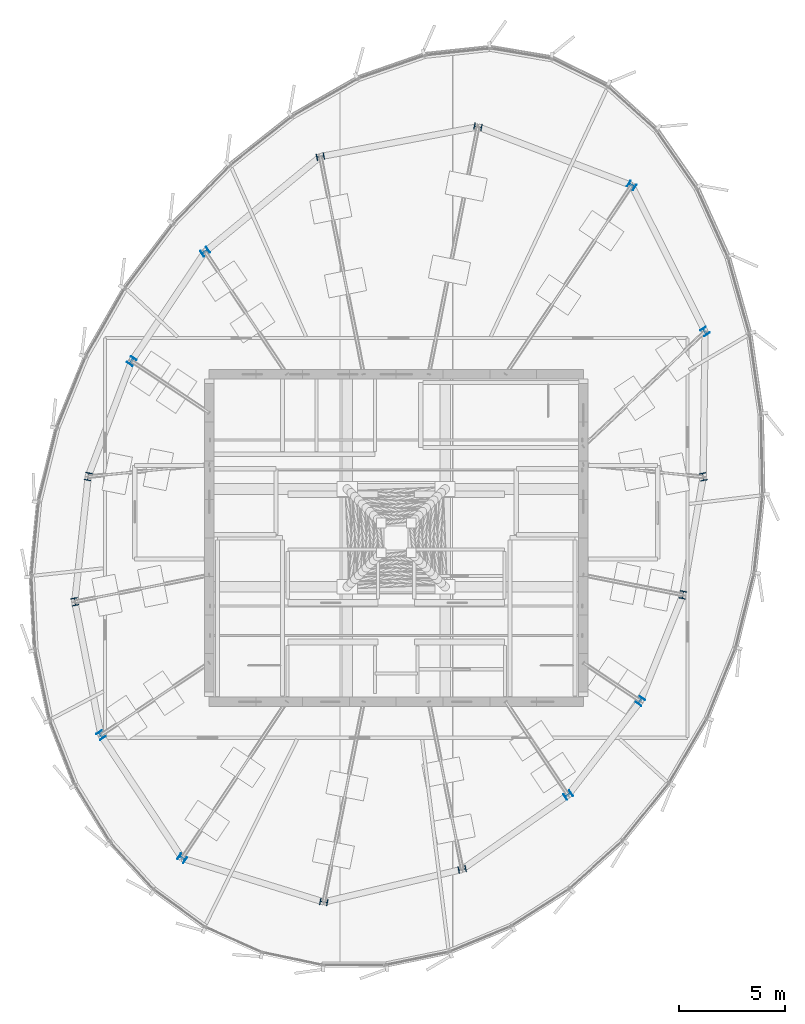
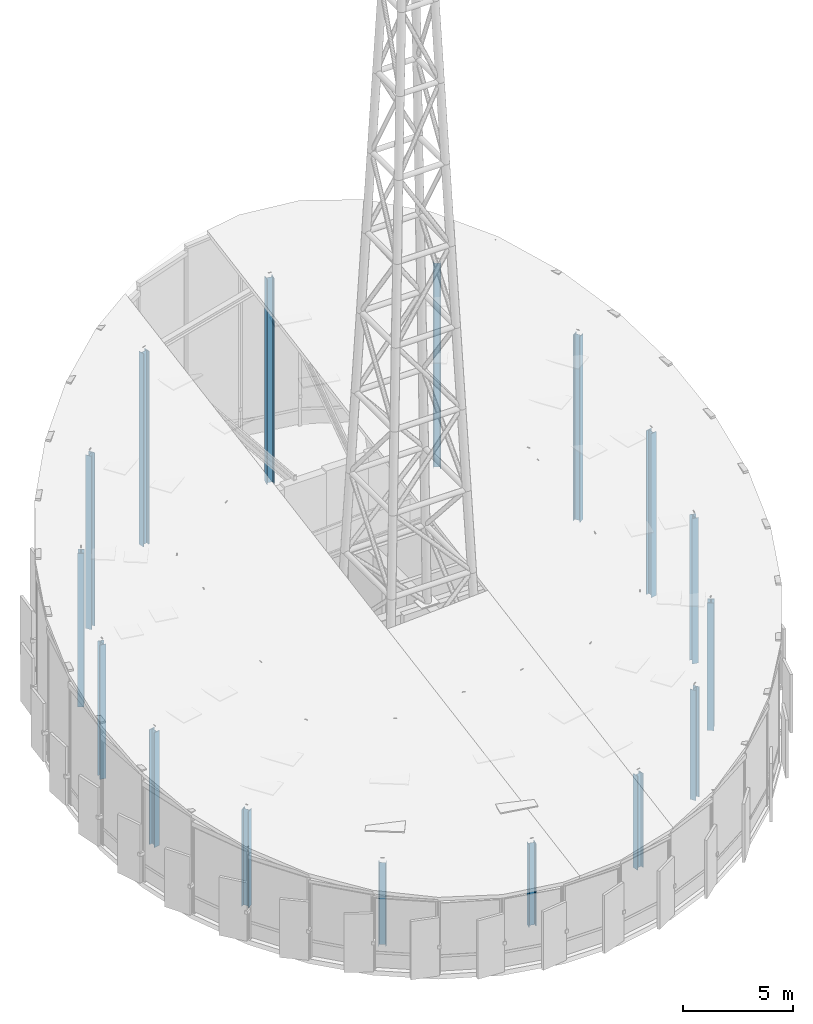
# One storey, part 1 of 36: 16 columns.
"""IFC4 building model written with IfcOpenShell, lengths in metres."""

from ifc_helpers import new_model, si_unit, direction, frame, origin, origin_2d, place, context, subcontext, project, spatial, i_section, extrude, source, transform, mapped, material, material_profile, profile_set, type_object, element, save


model = new_model("IFC4")

# Units and contexts
model_context = context("Model", 3, precision=1e-05, world=origin(), true_north=direction((0.0, 1.0)))
body_context = subcontext(model_context, "Body", "Model", "MODEL_VIEW")
ifc_project = project(units=[si_unit("LENGTHUNIT", "METRE"), si_unit("AREAUNIT", "SQUARE_METRE"), si_unit("VOLUMEUNIT", "CUBIC_METRE"), si_unit("PLANEANGLEUNIT", "RADIAN"), si_unit("MASSUNIT", "GRAM", prefix="KILO"), si_unit("THERMODYNAMICTEMPERATUREUNIT", "KELVIN")], contexts=[model_context])

# Site, building, storey
site_placement = place(None, origin())
site = spatial("IfcSite", under=ifc_project, at=site_placement, CompositionType="ELEMENT")
building_placement = place(site_placement, origin())
building = spatial("IfcBuilding", under=site, at=building_placement, Name="Kethvar Cultural Tower", CompositionType="ELEMENT")
storey_placement = place(building_placement, frame((0.0, 0.0, 324.300048828125)))
storey = spatial("IfcBuildingStorey", under=building, at=storey_placement, Name="L86", CompositionType="ELEMENT", Elevation=324.300048828125)

# Columns
ifc_material = material(Name="Steel S355J2", Category="steel")
ifc_material_profile = material_profile(ifc_material, i_section(OverallWidth=0.30908203125, OverallDepth=0.35888671875, WebThickness=0.01611328125, FlangeThickness=0.02587890625, FilletRadius=0.027099609375, at=origin_2d()), Name="Steel S355J2 — HD320x245")
ifc_profile_set = profile_set([ifc_material_profile], Name="Steel S355J2 — HD320x245")
column_type = type_object("IfcColumnType", Name="COL-HD245", PredefinedType="COLUMN", material=ifc_profile_set)
shared_shape_1 = source(origin(), body_context, "Body", "SweptSolid", [
    extrude(i_section(OverallWidth=0.30908203125, OverallDepth=0.35888671875, WebThickness=0.01611328125, FlangeThickness=0.02587890625, FilletRadius=0.027099609375, at=origin_2d()), origin(), (0.0, 0.0, 1.0), 9.130615234375),
])
column_1_placement = place(storey_placement, frame((61.237060546875, 30.671630859375, 0.0), z_axis=(0.0, 0.0, 1.0), x_axis=(0.980785280403, 0.195090322016, 0.0)))
element("IfcColumn", 1, at=column_1_placement, inside=storey, type_object=column_type, Name="L86 Mega-Column MC-01", PredefinedType="COLUMN", context=body_context, shape_type="MappedRepresentation", body=[
    mapped(shared_shape_1, transform((0.0, 0.0, 0.0), scale=1.0)),
])
shared_shape_2 = source(origin(), body_context, "Body", "SweptSolid", [
    extrude(i_section(OverallWidth=0.30908203125, OverallDepth=0.35888671875, WebThickness=0.01611328125, FlangeThickness=0.02587890625, FilletRadius=0.027099609375, at=origin_2d()), origin(), (0.0, 0.0, 1.0), 10.338134765625),
])
column_2_placement = place(storey_placement, frame((61.32568359375, 37.505859375, 0.0), z_axis=(0.0, 0.0, 1.0), x_axis=(0.831469612303, 0.55557023302, 0.0)))
element("IfcColumn", 2, at=column_2_placement, inside=storey, type_object=column_type, Name="L86 Mega-Column MC-02", PredefinedType="COLUMN", context=body_context, shape_type="MappedRepresentation", body=[
    mapped(shared_shape_2, transform((0.0, 0.0, 0.0), scale=1.0)),
])
shared_shape_3 = source(origin(), body_context, "Body", "SweptSolid", [
    extrude(i_section(OverallWidth=0.30908203125, OverallDepth=0.35888671875, WebThickness=0.01611328125, FlangeThickness=0.02587890625, FilletRadius=0.027099609375, at=origin_2d()), origin(), (0.0, 0.0, 1.0), 11.349365234375),
])
column_3_placement = place(storey_placement, frame((57.875244140625, 44.375, 0.0), z_axis=(0.0, 0.0, 1.0), x_axis=(0.55557023302, 0.831469612303, 0.0)))
element("IfcColumn", 3, at=column_3_placement, inside=storey, type_object=column_type, Name="L86 Mega-Column MC-03", PredefinedType="COLUMN", context=body_context, shape_type="MappedRepresentation", body=[
    mapped(shared_shape_3, transform((0.0, 0.0, 0.0), scale=1.0)),
])
shared_shape_4 = source(origin(), body_context, "Body", "SweptSolid", [
    extrude(i_section(OverallWidth=0.30908203125, OverallDepth=0.35888671875, WebThickness=0.01611328125, FlangeThickness=0.02587890625, FilletRadius=0.027099609375, at=origin_2d()), origin(), (0.0, 0.0, 1.0), 11.421142578125),
])
column_4_placement = place(storey_placement, frame((50.645263671875, 47.131591796875, 0.0), z_axis=(0.0, 0.0, 1.0), x_axis=(0.195090322016, 0.980785280403, 0.0)))
element("IfcColumn", 4, at=column_4_placement, inside=storey, type_object=column_type, Name="L86 Mega-Column MC-04", PredefinedType="COLUMN", context=body_context, shape_type="MappedRepresentation", body=[
    mapped(shared_shape_4, transform((0.0, 0.0, 0.0), scale=1.0)),
])
shared_shape_5 = source(origin(), body_context, "Body", "SweptSolid", [
    extrude(i_section(OverallWidth=0.30908203125, OverallDepth=0.35888671875, WebThickness=0.01611328125, FlangeThickness=0.02587890625, FilletRadius=0.027099609375, at=origin_2d()), origin(), (0.0, 0.0, 1.0), 10.751220703125),
])
column_5_placement = place(storey_placement, frame((43.23291015625, 45.732421875, 0.0), z_axis=(0.0, 0.0, 1.0), x_axis=(-0.195090322016, 0.980785280403, 0.0)))
element("IfcColumn", 5, at=column_5_placement, inside=storey, type_object=column_type, Name="L86 Mega-Column MC-05", PredefinedType="COLUMN", context=body_context, shape_type="MappedRepresentation", body=[
    mapped(shared_shape_5, transform((0.0, 0.0, 0.0), scale=1.0)),
])
shared_shape_6 = source(origin(), body_context, "Body", "SweptSolid", [
    extrude(i_section(OverallWidth=0.30908203125, OverallDepth=0.35888671875, WebThickness=0.01611328125, FlangeThickness=0.02587890625, FilletRadius=0.027099609375, at=origin_2d()), origin(), (0.0, 0.0, 1.0), 9.6533203125),
])
column_6_placement = place(storey_placement, frame((37.8095703125, 41.255126953125, 0.0), z_axis=(0.0, 0.0, 1.0), x_axis=(-0.55557023302, 0.831469612303, 0.0)))
element("IfcColumn", 6, at=column_6_placement, inside=storey, type_object=column_type, Name="L86 Mega-Column MC-06", PredefinedType="COLUMN", context=body_context, shape_type="MappedRepresentation", body=[
    mapped(shared_shape_6, transform((0.0, 0.0, 0.0), scale=1.0)),
])
shared_shape_7 = source(origin(), body_context, "Body", "SweptSolid", [
    extrude(i_section(OverallWidth=0.30908203125, OverallDepth=0.35888671875, WebThickness=0.01611328125, FlangeThickness=0.02587890625, FilletRadius=0.027099609375, at=origin_2d()), origin(), (0.0, 0.0, 1.0), 8.551513671875),
])
column_7_placement = place(storey_placement, frame((34.35595703125, 36.114990234375, 0.0), z_axis=(0.0, 0.0, 1.0), x_axis=(-0.831469612303, 0.55557023302, 0.0)))
element("IfcColumn", 7, at=column_7_placement, inside=storey, type_object=column_type, Name="L86 Mega-Column MC-07", PredefinedType="COLUMN", context=body_context, shape_type="MappedRepresentation", body=[
    mapped(shared_shape_7, transform((0.0, 0.0, 0.0), scale=1.0)),
])
shared_shape_8 = source(origin(), body_context, "Body", "SweptSolid", [
    extrude(i_section(OverallWidth=0.30908203125, OverallDepth=0.35888671875, WebThickness=0.01611328125, FlangeThickness=0.02587890625, FilletRadius=0.027099609375, at=origin_2d()), origin(), (0.0, 0.0, 1.0), 7.478759765625),
])
column_8_placement = place(storey_placement, frame((32.3125, 30.681884765625, 0.0), z_axis=(0.0, 0.0, 1.0), x_axis=(-0.980785280403, 0.195090322016, 0.0)))
element("IfcColumn", 8, at=column_8_placement, inside=storey, type_object=column_type, Name="L86 Mega-Column MC-08", PredefinedType="COLUMN", context=body_context, shape_type="MappedRepresentation", body=[
    mapped(shared_shape_8, transform((0.0, 0.0, 0.0), scale=1.0)),
])
shared_shape_9 = source(origin(), body_context, "Body", "SweptSolid", [
    extrude(i_section(OverallWidth=0.30908203125, OverallDepth=0.35888671875, WebThickness=0.01611328125, FlangeThickness=0.02587890625, FilletRadius=0.027099609375, at=origin_2d()), origin(), (0.0, 0.0, 1.0), 6.40673828125),
])
column_9_placement = place(storey_placement, frame((31.68310546875, 24.79296875, 0.0), z_axis=(0.0, 0.0, 1.0), x_axis=(-0.980785280403, -0.195090322016, 0.0)))
element("IfcColumn", 9, at=column_9_placement, inside=storey, type_object=column_type, Name="L86 Mega-Column MC-09", PredefinedType="COLUMN", context=body_context, shape_type="MappedRepresentation", body=[
    mapped(shared_shape_9, transform((0.0, 0.0, 0.0), scale=1.0)),
])
shared_shape_10 = source(origin(), body_context, "Body", "SweptSolid", [
    extrude(i_section(OverallWidth=0.30908203125, OverallDepth=0.35888671875, WebThickness=0.01611328125, FlangeThickness=0.02587890625, FilletRadius=0.027099609375, at=origin_2d()), origin(), (0.0, 0.0, 1.0), 5.37353515625),
])
column_10_placement = place(storey_placement, frame((32.912841796875, 18.52099609375, 0.0), z_axis=(0.0, 0.0, 1.0), x_axis=(-0.831469612303, -0.55557023302, 0.0)))
element("IfcColumn", 10, at=column_10_placement, inside=storey, type_object=column_type, Name="L86 Mega-Column MC-10", PredefinedType="COLUMN", context=body_context, shape_type="MappedRepresentation", body=[
    mapped(shared_shape_10, transform((0.0, 0.0, 0.0), scale=1.0)),
])
shared_shape_11 = source(origin(), body_context, "Body", "SweptSolid", [
    extrude(i_section(OverallWidth=0.30908203125, OverallDepth=0.35888671875, WebThickness=0.01611328125, FlangeThickness=0.02587890625, FilletRadius=0.027099609375, at=origin_2d()), origin(), (0.0, 0.0, 1.0), 4.572998046875),
])
column_11_placement = place(storey_placement, frame((36.731201171875, 12.73095703125, 0.0), z_axis=(0.0, 0.0, 1.0), x_axis=(-0.55557023302, -0.831469612303, 0.0)))
element("IfcColumn", 11, at=column_11_placement, inside=storey, type_object=column_type, Name="L86 Mega-Column MC-11", PredefinedType="COLUMN", context=body_context, shape_type="MappedRepresentation", body=[
    mapped(shared_shape_11, transform((0.0, 0.0, 0.0), scale=1.0)),
])
shared_shape_12 = source(origin(), body_context, "Body", "SweptSolid", [
    extrude(i_section(OverallWidth=0.30908203125, OverallDepth=0.35888671875, WebThickness=0.01611328125, FlangeThickness=0.02587890625, FilletRadius=0.027099609375, at=origin_2d()), origin(), (0.0, 0.0, 1.0), 4.591552734375),
])
column_12_placement = place(storey_placement, frame((43.392822265625, 10.67138671875, 0.0), z_axis=(0.0, 0.0, 1.0), x_axis=(-0.195090322016, -0.980785280403, 0.0)))
element("IfcColumn", 12, at=column_12_placement, inside=storey, type_object=column_type, Name="L86 Mega-Column MC-12", PredefinedType="COLUMN", context=body_context, shape_type="MappedRepresentation", body=[
    mapped(shared_shape_12, transform((0.0, 0.0, 0.0), scale=1.0)),
])
shared_shape_13 = source(origin(), body_context, "Body", "SweptSolid", [
    extrude(i_section(OverallWidth=0.30908203125, OverallDepth=0.35888671875, WebThickness=0.01611328125, FlangeThickness=0.02587890625, FilletRadius=0.027099609375, at=origin_2d()), origin(), (0.0, 0.0, 1.0), 5.233642578125),
])
column_13_placement = place(storey_placement, frame((49.901611328125, 12.206787109375, 0.0), z_axis=(0.0, 0.0, 1.0), x_axis=(0.195090322016, -0.980785280403, 0.0)))
element("IfcColumn", 13, at=column_13_placement, inside=storey, type_object=column_type, Name="L86 Mega-Column MC-13", PredefinedType="COLUMN", context=body_context, shape_type="MappedRepresentation", body=[
    mapped(shared_shape_13, transform((0.0, 0.0, 0.0), scale=1.0)),
])
shared_shape_14 = source(origin(), body_context, "Body", "SweptSolid", [
    extrude(i_section(OverallWidth=0.30908203125, OverallDepth=0.35888671875, WebThickness=0.01611328125, FlangeThickness=0.02587890625, FilletRadius=0.027099609375, at=origin_2d()), origin(), (0.0, 0.0, 1.0), 6.13330078125),
])
column_14_placement = place(storey_placement, frame((54.885009765625, 15.7001953125, 0.0), z_axis=(0.0, 0.0, 1.0), x_axis=(0.55557023302, -0.831469612303, 0.0)))
element("IfcColumn", 14, at=column_14_placement, inside=storey, type_object=column_type, Name="L86 Mega-Column MC-14", PredefinedType="COLUMN", context=body_context, shape_type="MappedRepresentation", body=[
    mapped(shared_shape_14, transform((0.0, 0.0, 0.0), scale=1.0)),
])
shared_shape_15 = source(origin(), body_context, "Body", "SweptSolid", [
    extrude(i_section(OverallWidth=0.30908203125, OverallDepth=0.35888671875, WebThickness=0.01611328125, FlangeThickness=0.02587890625, FilletRadius=0.027099609375, at=origin_2d()), origin(), (0.0, 0.0, 1.0), 7.106201171875),
])
column_15_placement = place(storey_placement, frame((58.287109375, 20.12451171875, 0.0), z_axis=(0.0, 0.0, 1.0), x_axis=(0.831469612303, -0.55557023302, 0.0)))
element("IfcColumn", 15, at=column_15_placement, inside=storey, type_object=column_type, Name="L86 Mega-Column MC-15", PredefinedType="COLUMN", context=body_context, shape_type="MappedRepresentation", body=[
    mapped(shared_shape_15, transform((0.0, 0.0, 0.0), scale=1.0)),
])
shared_shape_16 = source(origin(), body_context, "Body", "SweptSolid", [
    extrude(i_section(OverallWidth=0.30908203125, OverallDepth=0.35888671875, WebThickness=0.01611328125, FlangeThickness=0.02587890625, FilletRadius=0.027099609375, at=origin_2d()), origin(), (0.0, 0.0, 1.0), 8.098876953125),
])
column_16_placement = place(storey_placement, frame((60.28369140625, 25.117919921875, 0.0), z_axis=(0.0, 0.0, 1.0), x_axis=(0.980785280403, -0.195090322016, 0.0)))
element("IfcColumn", 16, at=column_16_placement, inside=storey, type_object=column_type, Name="L86 Mega-Column MC-16", PredefinedType="COLUMN", context=body_context, shape_type="MappedRepresentation", body=[
    mapped(shared_shape_16, transform((0.0, 0.0, 0.0), scale=1.0)),
])

save(model, "model.ifc")
